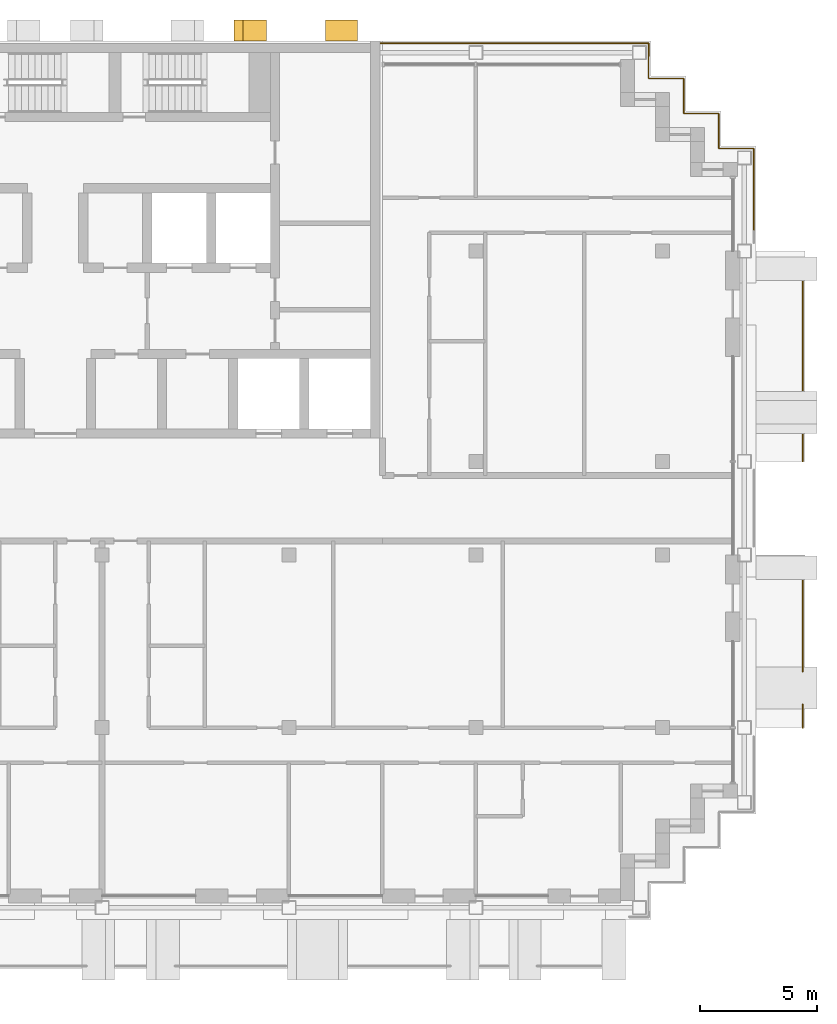
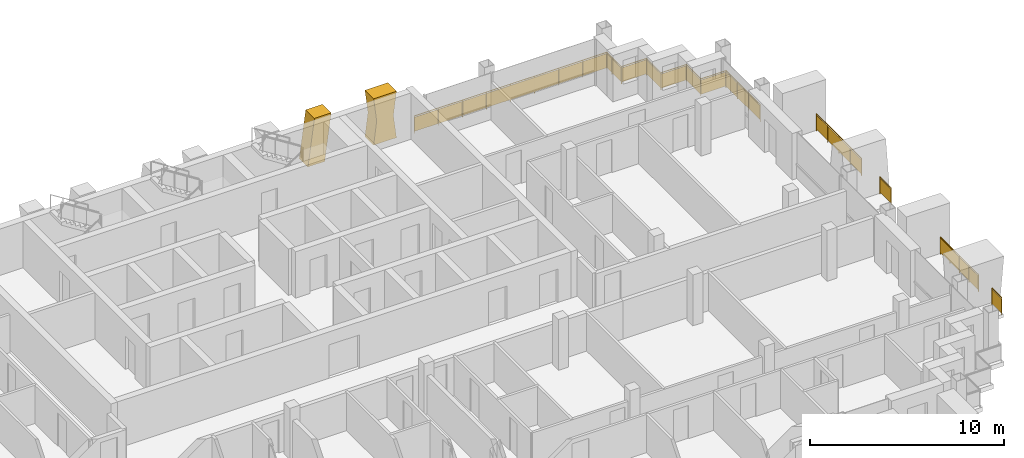
# One storey, part 16 of 16: 6 railings, 2 shading devices.
"""IFC4 building model written with IfcOpenShell, lengths in metres."""

from ifc_helpers import new_model, si_unit, direction, frame, origin, origin_2d, place, context, subcontext, project, spatial, polyline, rectangle, circle, outline, extrude, material, layer, layer_set, type_object, element, save


model = new_model("IFC4")

# Units and contexts
model_context = context("Model", 3, precision=1e-05, world=origin(), true_north=direction((0.0, 1.0)))
body_context = subcontext(model_context, "Body", "Model", "MODEL_VIEW")
ifc_project = project(units=[si_unit("LENGTHUNIT", "METRE"), si_unit("AREAUNIT", "SQUARE_METRE"), si_unit("VOLUMEUNIT", "CUBIC_METRE"), si_unit("PLANEANGLEUNIT", "RADIAN"), si_unit("MASSUNIT", "GRAM", prefix="KILO")], contexts=[model_context])

# Site, building, storey
site_placement = place(None, origin())
site = spatial("IfcSite", under=ifc_project, at=site_placement, CompositionType="ELEMENT")
building_placement = place(site_placement, origin())
building = spatial("IfcBuilding", under=site, at=building_placement, Name="Vidyagriha Tower", CompositionType="ELEMENT")
storey_placement = place(building_placement, frame((0.0, 0.0, 217.199951171875)))
storey = spatial("IfcBuildingStorey", under=building, at=storey_placement, Name="L56", CompositionType="ELEMENT", Elevation=217.199951171875)

# Railings
ifc_material_1 = material(Name="Steel ASTM A500 Grade C black painted", Category="steel")
railing_type_1 = type_object("IfcRailingType", Name="Balcony guard 1100", PredefinedType="BALUSTRADE", material=ifc_material_1)
railing_1_placement = place(storey_placement, frame((32.0, -9.39990234375, 0.0)))
element("IfcRailing", 1, at=railing_1_placement, inside=storey, type_object=railing_type_1, Name="Balcony guard L56 R30.1-1", PredefinedType="BALUSTRADE", context=body_context, shape_type="SweptSolid", body=[
    extrude(circle(Radius=0.02490234375, at=origin_2d()), frame((0.0, 0.0, 1.0751953125), z_axis=(0.0, 1.0, 0.0), x_axis=(-1.0, 0.0, 0.0)), (0.0, 0.0, 1.0), 0.99658203125),
    extrude(circle(Radius=0.02001953125, at=origin_2d()), origin(), (0.0, 0.0, 1.0), 1.050048828125),
    extrude(circle(Radius=0.02001953125, at=origin_2d()), frame((0.0, 0.99658203125, 0.0)), (0.0, 0.0, 1.0), 1.050048828125),
    extrude(rectangle(XDim=0.010009765625, YDim=0.900146484375, at=origin_2d()), frame((0.0, 0.0, 0.550048828125), z_axis=(0.0, 1.0, 0.0), x_axis=(-1.0, 0.0, 0.0)), (0.0, 0.0, 1.0), 0.99658203125),
])
railing_2_placement = place(storey_placement, frame((32.0, -6.99658203125, 0.0)))
element("IfcRailing", 2, at=railing_2_placement, inside=storey, type_object=railing_type_1, Name="Balcony guard L56 R30.1-2", PredefinedType="BALUSTRADE", context=body_context, shape_type="SweptSolid", body=[
    extrude(circle(Radius=0.02490234375, at=origin_2d()), frame((0.0, 0.0, 1.0751953125), z_axis=(0.0, 1.0, 0.0), x_axis=(-1.0, 0.0, 0.0)), (0.0, 0.0, 1.0), 3.896484375),
    extrude(circle(Radius=0.02001953125, at=origin_2d()), origin(), (0.0, 0.0, 1.0), 1.050048828125),
    extrude(circle(Radius=0.02001953125, at=origin_2d()), frame((0.0, 0.97412109375, 0.0)), (0.0, 0.0, 1.0), 1.050048828125),
    extrude(circle(Radius=0.02001953125, at=origin_2d()), frame((0.0, 1.9482421875, 0.0)), (0.0, 0.0, 1.0), 1.050048828125),
    extrude(circle(Radius=0.02001953125, at=origin_2d()), frame((0.0, 2.92236328125, 0.0)), (0.0, 0.0, 1.0), 1.050048828125),
    extrude(circle(Radius=0.02001953125, at=origin_2d()), frame((0.0, 3.896484375, 0.0)), (0.0, 0.0, 1.0), 1.050048828125),
    extrude(rectangle(XDim=0.010009765625, YDim=0.900146484375, at=origin_2d()), frame((0.0, 0.0, 0.550048828125), z_axis=(0.0, 1.0, 0.0), x_axis=(-1.0, 0.0, 0.0)), (0.0, 0.0, 1.0), 3.896484375),
])
railing_3_placement = place(storey_placement, frame((32.0, 2.0, 0.0)))
element("IfcRailing", 3, at=railing_3_placement, inside=storey, type_object=railing_type_1, Name="Balcony guard L56 R30.2-1", PredefinedType="BALUSTRADE", context=body_context, shape_type="SweptSolid", body=[
    extrude(circle(Radius=0.02490234375, at=origin_2d()), frame((0.0, 0.0, 1.0751953125), z_axis=(0.0, 1.0, 0.0), x_axis=(-1.0, 0.0, 0.0)), (0.0, 0.0, 1.0), 1.14990234375),
    extrude(circle(Radius=0.02001953125, at=origin_2d()), origin(), (0.0, 0.0, 1.0), 1.050048828125),
    extrude(circle(Radius=0.02001953125, at=origin_2d()), frame((0.0, 1.14990234375, 0.0)), (0.0, 0.0, 1.0), 1.050048828125),
    extrude(rectangle(XDim=0.010009765625, YDim=0.900146484375, at=origin_2d()), frame((0.0, 0.0, 0.550048828125), z_axis=(0.0, 1.0, 0.0), x_axis=(-1.0, 0.0, 0.0)), (0.0, 0.0, 1.0), 1.14990234375),
])
railing_4_placement = place(storey_placement, frame((32.0, 5.050048828125, 0.0)))
element("IfcRailing", 4, at=railing_4_placement, inside=storey, type_object=railing_type_1, Name="Balcony guard L56 R30.2-2", PredefinedType="BALUSTRADE", context=body_context, shape_type="SweptSolid", body=[
    extrude(circle(Radius=0.02490234375, at=origin_2d()), frame((0.0, 0.0, 1.0751953125), z_axis=(0.0, 1.0, 0.0), x_axis=(-1.0, 0.0, 0.0)), (0.0, 0.0, 1.0), 4.64990234375),
    extrude(circle(Radius=0.02001953125, at=origin_2d()), origin(), (0.0, 0.0, 1.0), 1.050048828125),
    extrude(circle(Radius=0.02001953125, at=origin_2d()), frame((0.0, 1.16259765625, 0.0)), (0.0, 0.0, 1.0), 1.050048828125),
    extrude(circle(Radius=0.02001953125, at=origin_2d()), frame((0.0, 2.324951171875, 0.0)), (0.0, 0.0, 1.0), 1.050048828125),
    extrude(circle(Radius=0.02001953125, at=origin_2d()), frame((0.0, 3.4873046875, 0.0)), (0.0, 0.0, 1.0), 1.050048828125),
    extrude(circle(Radius=0.02001953125, at=origin_2d()), frame((0.0, 4.64990234375, 0.0)), (0.0, 0.0, 1.0), 1.050048828125),
    extrude(rectangle(XDim=0.010009765625, YDim=0.900146484375, at=origin_2d()), frame((0.0, 0.0, 0.550048828125), z_axis=(0.0, 1.0, 0.0), x_axis=(-1.0, 0.0, 0.0)), (0.0, 0.0, 1.0), 4.64990234375),
])

# Shading devices
ifc_material_2 = material(Name="Precast concrete C40/50 with brick facing", Category="concrete")
ifc_layer_1 = layer(ifc_material_2, 1.0)
ifc_layer_set_1 = layer_set([ifc_layer_1], Name="Precast concrete C40/50 with brick facing")
shading_device_type_1 = type_object("IfcShadingDeviceType", Name="Brick-faced rear rib arm leaning 8 degrees", PredefinedType="USERDEFINED", material=ifc_layer_set_1)
shading_device_1_placement = place(storey_placement, frame((9.04296875, 20.449951171875, 0.0), z_axis=(0.0, 0.0, 1.0), x_axis=(-1.0, 0.0, 0.0)))
element("IfcShadingDevice", 5, at=shading_device_1_placement, inside=storey, type_object=shading_device_type_1, Name="Rear rib arm L56 R08.2b", ObjectType="BLADE FIN", PredefinedType="USERDEFINED", context=body_context, shape_type="SweptSolid", body=[
    extrude(outline(polyline([(0.3857421875, 0.0), (1.3857421875, 0.0), (1.0, 2.920166015625), (0.0, 2.920166015625), (0.3857421875, 0.0)])), frame((0.0, 0.449951171875, 0.0), z_axis=(0.0, -1.0, 0.0), x_axis=(1.0, 0.0, 0.0)), (0.0, 0.0, 1.0), 0.89990234375),
])
ifc_material_3 = material(Name="Precast concrete C40/50 with brick facing", Category="concrete")
ifc_layer_2 = layer(ifc_material_3, 1.0)
ifc_layer_set_2 = layer_set([ifc_layer_2], Name="Precast concrete C40/50 with brick facing")
shading_device_type_2 = type_object("IfcShadingDeviceType", Name="Brick-faced rear rib forking 8 degrees", PredefinedType="USERDEFINED", material=ifc_layer_set_2)
shading_device_2_placement = place(storey_placement, frame((12.9287109375, 20.449951171875, 0.0), z_axis=(0.0, 0.0, 1.0), x_axis=(-1.0, 0.0, 0.0)))
element("IfcShadingDevice", 6, at=shading_device_2_placement, inside=storey, type_object=shading_device_type_2, Name="Rear rib fork L56 R08.1a", ObjectType="BLADE FIN", PredefinedType="USERDEFINED", context=body_context, shape_type="SweptSolid", body=[
    extrude(outline(polyline([(0.0, 0.0), (1.357177734375, 0.0), (1.1787109375, 1.4599609375), (1.357177734375, 2.920166015625), (0.0, 2.920166015625), (0.1787109375, 1.4599609375), (0.0, 0.0)])), frame((0.0, 0.449951171875, 0.0), z_axis=(0.0, -1.0, 0.0), x_axis=(1.0, 0.0, 0.0)), (0.0, 0.0, 1.0), 0.89990234375),
])

# Railings
ifc_material_4 = material(Name="Steel ASTM A500 Grade C black painted", Category="steel")
railing_type_2 = type_object("IfcRailingType", Name="Gallery guard 1100", PredefinedType="GUARDRAIL", material=ifc_material_4)
railing_5_placement = place(storey_placement, frame((13.929931640625, 19.89990234375, 0.0)))
element("IfcRailing", 7, at=railing_5_placement, inside=storey, type_object=railing_type_2, Name="Gallery guard L56 7", PredefinedType="GUARDRAIL", context=body_context, shape_type="SweptSolid", body=[
    extrude(circle(Radius=0.02490234375, at=origin_2d()), frame((0.0, 0.0, 1.0751953125), z_axis=(1.0, 0.0, 0.0), x_axis=(0.0, 1.0, 0.0)), (0.0, 0.0, 1.0), 11.469970703125),
    extrude(circle(Radius=0.02490234375, at=origin_2d()), frame((11.469970703125, 0.0, 1.0751953125), z_axis=(0.0, -1.0, 0.0), x_axis=(1.0, 0.0, 0.0)), (0.0, 0.0, 1.0), 0.52978515625),
    extrude(circle(Radius=0.02001953125, at=origin_2d()), origin(), (0.0, 0.0, 1.0), 1.050048828125),
    extrude(circle(Radius=0.02001953125, at=origin_2d()), frame((1.433837890625, 0.0, 0.0)), (0.0, 0.0, 1.0), 1.050048828125),
    extrude(circle(Radius=0.02001953125, at=origin_2d()), frame((2.867431640625, 0.0, 0.0)), (0.0, 0.0, 1.0), 1.050048828125),
    extrude(circle(Radius=0.02001953125, at=origin_2d()), frame((4.30126953125, 0.0, 0.0)), (0.0, 0.0, 1.0), 1.050048828125),
    extrude(circle(Radius=0.02001953125, at=origin_2d()), frame((5.73486328125, 0.0, 0.0)), (0.0, 0.0, 1.0), 1.050048828125),
    extrude(circle(Radius=0.02001953125, at=origin_2d()), frame((7.168701171875, 0.0, 0.0)), (0.0, 0.0, 1.0), 1.050048828125),
    extrude(circle(Radius=0.02001953125, at=origin_2d()), frame((8.6025390625, 0.0, 0.0)), (0.0, 0.0, 1.0), 1.050048828125),
    extrude(circle(Radius=0.02001953125, at=origin_2d()), frame((10.0361328125, 0.0, 0.0)), (0.0, 0.0, 1.0), 1.050048828125),
    extrude(circle(Radius=0.02001953125, at=origin_2d()), frame((11.469970703125, 0.0, 0.0)), (0.0, 0.0, 1.0), 1.050048828125),
    extrude(circle(Radius=0.02001953125, at=origin_2d()), frame((11.469970703125, -0.52978515625, 0.0)), (0.0, 0.0, 1.0), 1.050048828125),
    extrude(rectangle(XDim=0.010009765625, YDim=0.900146484375, at=origin_2d()), frame((0.0, 0.0, 0.550048828125), z_axis=(1.0, 0.0, 0.0), x_axis=(0.0, 1.0, 0.0)), (0.0, 0.0, 1.0), 11.469970703125),
    extrude(rectangle(XDim=0.010009765625, YDim=0.900146484375, at=origin_2d()), frame((11.469970703125, 0.0, 0.550048828125), z_axis=(0.0, -1.0, 0.0), x_axis=(1.0, 0.0, 0.0)), (0.0, 0.0, 1.0), 0.52978515625),
])
railing_6_placement = place(storey_placement, frame((25.39990234375, 19.3701171875, 0.0)))
element("IfcRailing", 8, at=railing_6_placement, inside=storey, type_object=railing_type_2, Name="Gallery guard L56 8", PredefinedType="GUARDRAIL", context=body_context, shape_type="SweptSolid", body=[
    extrude(circle(Radius=0.02490234375, at=origin_2d()), frame((0.0, 0.0, 1.0751953125), z_axis=(0.0, -1.0, 0.0), x_axis=(1.0, 0.0, 0.0)), (0.0, 0.0, 1.0), 0.97021484375),
    extrude(circle(Radius=0.02490234375, at=origin_2d()), frame((0.0, -0.97021484375, 1.0751953125), z_axis=(1.0, 0.0, 0.0), x_axis=(0.0, 1.0, 0.0)), (0.0, 0.0, 1.0), 1.5),
    extrude(circle(Radius=0.02490234375, at=origin_2d()), frame((1.5, -0.97021484375, 1.0751953125), z_axis=(0.0, -1.0, 0.0), x_axis=(1.0, 0.0, 0.0)), (0.0, 0.0, 1.0), 1.5),
    extrude(circle(Radius=0.02490234375, at=origin_2d()), frame((1.5, -2.47021484375, 1.0751953125), z_axis=(1.0, 0.0, 0.0), x_axis=(0.0, 1.0, 0.0)), (0.0, 0.0, 1.0), 1.5),
    extrude(circle(Radius=0.02490234375, at=origin_2d()), frame((3.0, -2.47021484375, 1.0751953125), z_axis=(0.0, -1.0, 0.0), x_axis=(1.0, 0.0, 0.0)), (0.0, 0.0, 1.0), 1.5),
    extrude(circle(Radius=0.02490234375, at=origin_2d()), frame((3.0, -3.97021484375, 1.0751953125), z_axis=(1.0, 0.0, 0.0), x_axis=(0.0, 1.0, 0.0)), (0.0, 0.0, 1.0), 1.5),
    extrude(circle(Radius=0.02490234375, at=origin_2d()), frame((4.5, -3.97021484375, 1.0751953125), z_axis=(0.0, -1.0, 0.0), x_axis=(1.0, 0.0, 0.0)), (0.0, 0.0, 1.0), 3.52978515625),
    extrude(circle(Radius=0.02001953125, at=origin_2d()), origin(), (0.0, 0.0, 1.0), 1.050048828125),
    extrude(circle(Radius=0.02001953125, at=origin_2d()), frame((0.0, -0.97021484375, 0.0)), (0.0, 0.0, 1.0), 1.050048828125),
    extrude(circle(Radius=0.02001953125, at=origin_2d()), frame((1.5, -0.97021484375, 0.0)), (0.0, 0.0, 1.0), 1.050048828125),
    extrude(circle(Radius=0.02001953125, at=origin_2d()), frame((1.5, -2.47021484375, 0.0)), (0.0, 0.0, 1.0), 1.050048828125),
    extrude(circle(Radius=0.02001953125, at=origin_2d()), frame((3.0, -2.47021484375, 0.0)), (0.0, 0.0, 1.0), 1.050048828125),
    extrude(circle(Radius=0.02001953125, at=origin_2d()), frame((3.0, -3.97021484375, 0.0)), (0.0, 0.0, 1.0), 1.050048828125),
    extrude(circle(Radius=0.02001953125, at=origin_2d()), frame((4.5, -3.97021484375, 0.0)), (0.0, 0.0, 1.0), 1.050048828125),
    extrude(circle(Radius=0.02001953125, at=origin_2d()), frame((4.5, -5.146728515625, 0.0)), (0.0, 0.0, 1.0), 1.050048828125),
    extrude(circle(Radius=0.02001953125, at=origin_2d()), frame((4.5, -6.323486328125, 0.0)), (0.0, 0.0, 1.0), 1.050048828125),
    extrude(circle(Radius=0.02001953125, at=origin_2d()), frame((4.5, -7.5, 0.0)), (0.0, 0.0, 1.0), 1.050048828125),
    extrude(rectangle(XDim=0.010009765625, YDim=0.900146484375, at=origin_2d()), frame((0.0, 0.0, 0.550048828125), z_axis=(0.0, -1.0, 0.0), x_axis=(1.0, 0.0, 0.0)), (0.0, 0.0, 1.0), 0.97021484375),
    extrude(rectangle(XDim=0.010009765625, YDim=0.900146484375, at=origin_2d()), frame((0.0, -0.97021484375, 0.550048828125), z_axis=(1.0, 0.0, 0.0), x_axis=(0.0, 1.0, 0.0)), (0.0, 0.0, 1.0), 1.5),
    extrude(rectangle(XDim=0.010009765625, YDim=0.900146484375, at=origin_2d()), frame((1.5, -0.97021484375, 0.550048828125), z_axis=(0.0, -1.0, 0.0), x_axis=(1.0, 0.0, 0.0)), (0.0, 0.0, 1.0), 1.5),
    extrude(rectangle(XDim=0.010009765625, YDim=0.900146484375, at=origin_2d()), frame((1.5, -2.47021484375, 0.550048828125), z_axis=(1.0, 0.0, 0.0), x_axis=(0.0, 1.0, 0.0)), (0.0, 0.0, 1.0), 1.5),
    extrude(rectangle(XDim=0.010009765625, YDim=0.900146484375, at=origin_2d()), frame((3.0, -2.47021484375, 0.550048828125), z_axis=(0.0, -1.0, 0.0), x_axis=(1.0, 0.0, 0.0)), (0.0, 0.0, 1.0), 1.5),
    extrude(rectangle(XDim=0.010009765625, YDim=0.900146484375, at=origin_2d()), frame((3.0, -3.97021484375, 0.550048828125), z_axis=(1.0, 0.0, 0.0), x_axis=(0.0, 1.0, 0.0)), (0.0, 0.0, 1.0), 1.5),
    extrude(rectangle(XDim=0.010009765625, YDim=0.900146484375, at=origin_2d()), frame((4.5, -3.97021484375, 0.550048828125), z_axis=(0.0, -1.0, 0.0), x_axis=(1.0, 0.0, 0.0)), (0.0, 0.0, 1.0), 3.52978515625),
])

save(model, "model.ifc")
